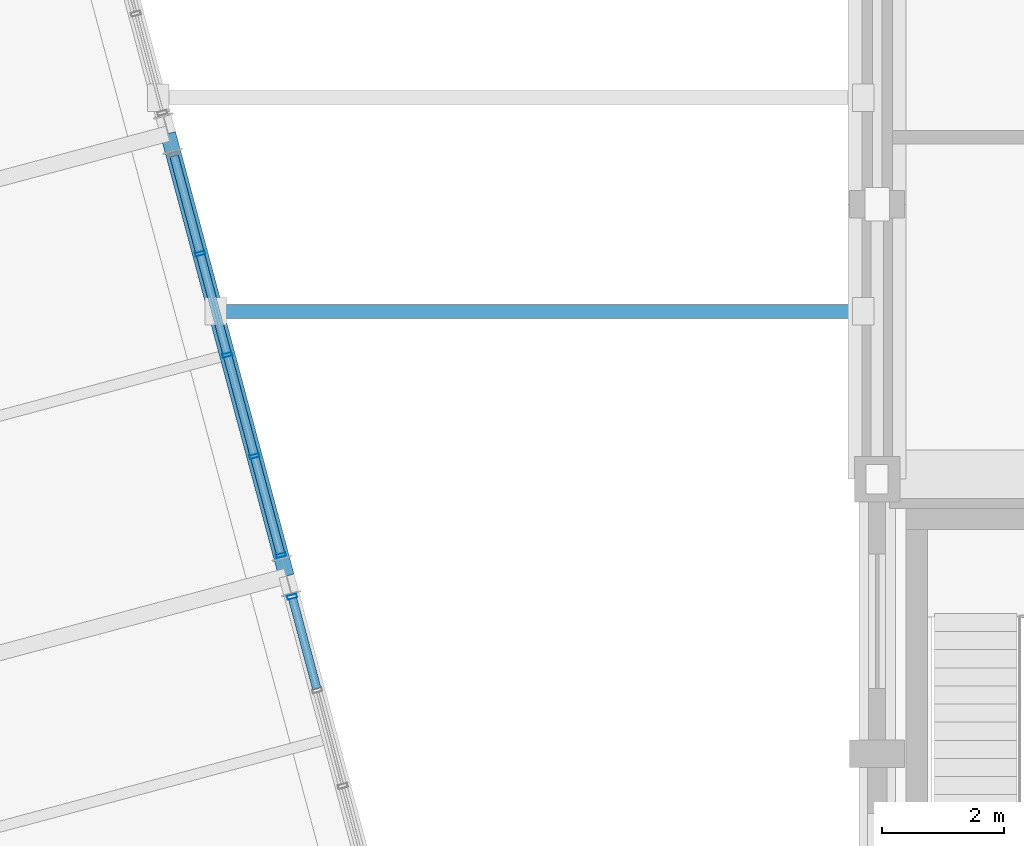
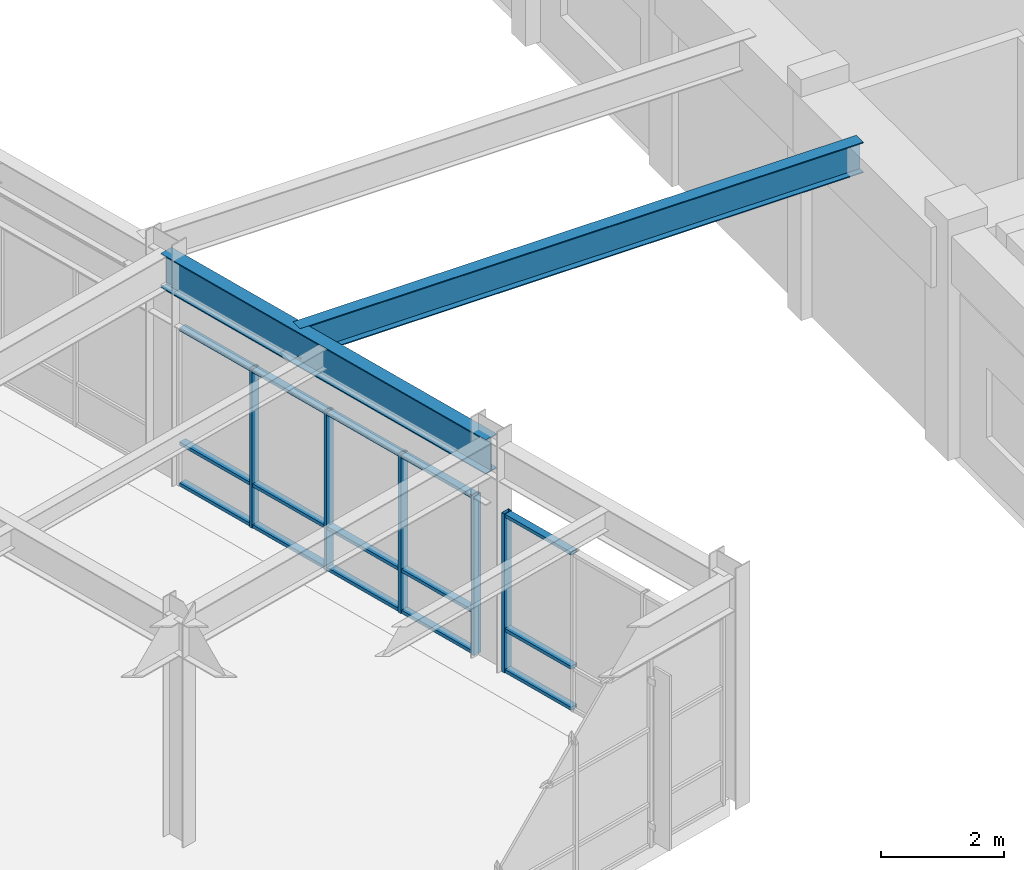
# One storey, part 50 of 104: 20 members, 2 beams, 2 elements without a shape of their own.
"""IFC4 building model written with IfcOpenShell, lengths in metres."""

from ifc_helpers import new_model, si_unit, direction, frame, origin, origin_2d, place, context, subcontext, project, spatial, hollow_rectangle, i_section, extrude, material, layer, layer_set, material_profile, profile_set, type_object, element, aggregate, save


model = new_model("IFC4")

# Units and contexts
model_context = context("Model", 3, precision=1e-05, world=origin(), true_north=direction((0.0, 1.0)))
body_context = subcontext(model_context, "Body", "Model", "MODEL_VIEW")
ifc_project = project(units=[si_unit("LENGTHUNIT", "METRE"), si_unit("AREAUNIT", "SQUARE_METRE"), si_unit("VOLUMEUNIT", "CUBIC_METRE"), si_unit("PLANEANGLEUNIT", "RADIAN"), si_unit("MASSUNIT", "GRAM", prefix="KILO")], contexts=[model_context])

# Site, building, storey
site_placement = place(None, origin())
site = spatial("IfcSite", under=ifc_project, at=site_placement, CompositionType="ELEMENT")
building_placement = place(site_placement, origin())
building = spatial("IfcBuilding", under=site, at=building_placement, Name="Ventoquebrada Cableway Terminal", CompositionType="ELEMENT")
storey_placement = place(building_placement, frame((0.0, 0.0, 4.800048828125)))
storey = spatial("IfcBuildingStorey", under=building, at=storey_placement, Name="L01", CompositionType="ELEMENT", Elevation=4.800048828125)

# Beams
ifc_material_1 = material(Name="Steel ASTM A992 Grade 50", Category="steel")
ifc_material_profile_1 = material_profile(ifc_material_1, i_section(OverallWidth=0.22900390625, OverallDepth=0.612060546875, WebThickness=0.011962890625, FlangeThickness=0.01953125, at=origin_2d()), Name="W24X84")
ifc_profile_set_1 = profile_set([ifc_material_profile_1], Name="Steel ASTM A992 Grade 50")
beam_type_1 = type_object("IfcBeamType", Name="BM-ST02", PredefinedType="BEAM", material=ifc_profile_set_1)
beam_1_placement = place(storey_placement, frame((84.166015625, 88.75, 4.1689453125), z_axis=(1.0, 0.0, 0.0), x_axis=(0.0, 1.0, 0.0)))
element("IfcBeam", 1, at=beam_1_placement, inside=storey, type_object=beam_type_1, Name="Link bridge girder LP-3 FBM-1117", PredefinedType="BEAM", context=body_context, shape_type="SweptSolid", body=[
    extrude(i_section(OverallWidth=0.22900390625, OverallDepth=0.612060546875, WebThickness=0.011962890625, FlangeThickness=0.01953125, at=origin_2d()), origin(), (0.0, 0.0, 1.0), 10.60888671875),
])
ifc_material_profile_2 = material_profile(ifc_material_1, i_section(OverallWidth=0.25390625, OverallDepth=0.68798828125, WebThickness=0.01318359375, FlangeThickness=0.02099609375, at=origin_2d()), Name="W27X102")
ifc_profile_set_2 = profile_set([ifc_material_profile_2], Name="Steel ASTM A992 Grade 50")
beam_type_2 = type_object("IfcBeamType", Name="BM-ST04", PredefinedType="BEAM", material=ifc_profile_set_2)
beam_2_placement = place(storey_placement, frame((85.327880859375, 84.4140625, 4.130859375), z_axis=(-0.258776761059, 0.965937155273, 0.0), x_axis=(-0.965937155273, -0.258776761059, 0.0)))
element("IfcBeam", 2, at=beam_2_placement, inside=storey, type_object=beam_type_2, Name="Splayed station girder FBM-1038", PredefinedType="BEAM", context=body_context, shape_type="SweptSolid", body=[
    extrude(i_section(OverallWidth=0.25390625, OverallDepth=0.68798828125, WebThickness=0.01318359375, FlangeThickness=0.02099609375, at=origin_2d()), origin(), (0.0, 0.0, 1.0), 7.500244140625),
])

# Curtain wall, member
ifc_material_2 = material(Name="Anodized thermally-broken aluminium", Category="aluminium")
ifc_layer_1 = layer(ifc_material_2, 0.159912109375)
ifc_layer_set_1 = layer_set([ifc_layer_1], Name="Anodized thermally-broken aluminium")
curtain_wall_type_1 = type_object("IfcCurtainWallType", Name="CW-T38", PredefinedType="USERDEFINED", material=ifc_layer_set_1)
curtain_wall_1_placement = place(storey_placement, origin())
curtain_wall_1 = element("IfcCurtainWall", 3, at=curtain_wall_1_placement, inside=storey, type_object=curtain_wall_type_1, Name="Unitised glazed curtain wall CW-097", ObjectType="UNITISED CURTAIN WALL", PredefinedType="USERDEFINED")
ifc_material_profile_3 = material_profile(ifc_material_2, hollow_rectangle(XDim=0.06494140625, YDim=0.159912109375, WallThickness=0.00390625, at=origin_2d()), Name="CW-MUL-65X160")
ifc_profile_set_3 = profile_set([ifc_material_profile_3], Name="Anodized thermally-broken aluminium")
member_type_1 = type_object("IfcMemberType", Name="CWM-01", PredefinedType="MULLION", material=ifc_profile_set_3)
member_1_placement = place(storey_placement, frame((85.4189453125, 84.074951171875, -0.008056640625), z_axis=(0.0, 0.0, 1.0), x_axis=(-0.258650455301, 0.965970984022, 0.0)))
member_1 = element("IfcMember", 4, at=member_1_placement, type_object=member_type_1, Name="Curtain wall mullion FML-0475", PredefinedType="MULLION", context=body_context, shape_type="SweptSolid", body=[
    extrude(hollow_rectangle(XDim=0.06494140625, YDim=0.159912109375, WallThickness=0.00390625, at=origin_2d()), origin(), (0.0, 0.0, 1.0), 3.173095703125),
])

# Curtain wall, members
ifc_layer_2 = layer(ifc_material_2, 0.159912109375)
ifc_layer_set_2 = layer_set([ifc_layer_2], Name="Anodized thermally-broken aluminium")
curtain_wall_type_2 = type_object("IfcCurtainWallType", Name="CW-T39", PredefinedType="USERDEFINED", material=ifc_layer_set_2)
curtain_wall_2_placement = place(storey_placement, origin())
curtain_wall_2 = element("IfcCurtainWall", 5, at=curtain_wall_2_placement, inside=storey, type_object=curtain_wall_type_2, Name="Unitised glazed curtain wall CW-098", ObjectType="UNITISED CURTAIN WALL", PredefinedType="USERDEFINED")
member_2_placement = place(storey_placement, frame((85.237060546875, 84.7529296875, -0.008056640625), z_axis=(0.0, 0.0, 1.0), x_axis=(-0.258701033069, 0.965957439792, 0.0)))
member_2 = element("IfcMember", 6, at=member_2_placement, type_object=member_type_1, Name="Curtain wall mullion FML-0476", PredefinedType="MULLION", context=body_context, shape_type="SweptSolid", body=[
    extrude(hollow_rectangle(XDim=0.06494140625, YDim=0.159912109375, WallThickness=0.00390625, at=origin_2d()), origin(), (0.0, 0.0, 1.0), 3.173095703125),
])
member_3_placement = place(storey_placement, frame((84.802001953125, 86.3779296875, -0.008056640625), z_axis=(0.0, 0.0, 1.0), x_axis=(-0.258701033069, 0.965957439792, 0.0)))
member_3 = element("IfcMember", 7, at=member_3_placement, type_object=member_type_1, Name="Curtain wall mullion FML-0477", PredefinedType="MULLION", context=body_context, shape_type="SweptSolid", body=[
    extrude(hollow_rectangle(XDim=0.06494140625, YDim=0.159912109375, WallThickness=0.00390625, at=origin_2d()), origin(), (0.0, 0.0, 1.0), 3.173095703125),
])
member_4_placement = place(storey_placement, frame((84.35693359375, 88.035888671875, -0.008056640625), z_axis=(0.0, 0.0, 1.0), x_axis=(-0.258701033069, 0.965957439792, 0.0)))
member_4 = element("IfcMember", 8, at=member_4_placement, type_object=member_type_1, Name="Curtain wall mullion FML-0478", PredefinedType="MULLION", context=body_context, shape_type="SweptSolid", body=[
    extrude(hollow_rectangle(XDim=0.06494140625, YDim=0.159912109375, WallThickness=0.00390625, at=origin_2d()), origin(), (0.0, 0.0, 1.0), 3.173095703125),
])
member_5_placement = place(storey_placement, frame((83.9130859375, 89.695068359375, -0.008056640625), z_axis=(0.0, 0.0, 1.0), x_axis=(-0.258701033069, 0.965957439792, 0.0)))
member_5 = element("IfcMember", 9, at=member_5_placement, type_object=member_type_1, Name="Curtain wall mullion FML-0479", PredefinedType="MULLION", context=body_context, shape_type="SweptSolid", body=[
    extrude(hollow_rectangle(XDim=0.06494140625, YDim=0.159912109375, WallThickness=0.00390625, at=origin_2d()), origin(), (0.0, 0.0, 1.0), 3.173095703125),
])

# Member
ifc_material_profile_4 = material_profile(ifc_material_2, hollow_rectangle(XDim=0.06494140625, YDim=0.139892578125, WallThickness=0.00390625, at=origin_2d()), Name="CW-TRN-65X140")
ifc_profile_set_4 = profile_set([ifc_material_profile_4], Name="Anodized thermally-broken aluminium")
member_type_2 = type_object("IfcMemberType", Name="CWT-01", PredefinedType="USERDEFINED", material=ifc_profile_set_4)
member_6_placement = place(storey_placement, frame((85.822998046875, 82.568115234375, 0.034912109375), z_axis=(-0.258911184026, 0.965901133029, 0.0), x_axis=(0.0, 0.0, 1.0)))
member_6 = element("IfcMember", 10, at=member_6_placement, type_object=member_type_2, Name="Curtain wall transom FTR-1400", ObjectType="TRANSOM", PredefinedType="USERDEFINED", context=body_context, shape_type="SweptSolid", body=[
    extrude(hollow_rectangle(XDim=0.06494140625, YDim=0.139892578125, WallThickness=0.00390625, at=origin_2d()), origin(), (0.0, 0.0, 1.0), 1.533203125),
])

member_7_placement = place(storey_placement, frame((85.822998046875, 82.568115234375, 0.849853515625), z_axis=(-0.258911184026, 0.965901133029, 0.0), x_axis=(0.0, 0.0, 1.0)))
member_7 = element("IfcMember", 11, at=member_7_placement, type_object=member_type_2, Name="Curtain wall transom FTR-1401", ObjectType="TRANSOM", PredefinedType="USERDEFINED", context=body_context, shape_type="SweptSolid", body=[
    extrude(hollow_rectangle(XDim=0.06494140625, YDim=0.139892578125, WallThickness=0.00390625, at=origin_2d()), origin(), (0.0, 0.0, 1.0), 1.533203125),
])

member_8_placement = place(storey_placement, frame((85.822998046875, 82.568115234375, 3.125), z_axis=(-0.258911184026, 0.965901133029, 0.0), x_axis=(0.0, 0.0, 1.0)))
member_8 = element("IfcMember", 12, at=member_8_placement, type_object=member_type_2, Name="Curtain wall transom FTR-1402", ObjectType="TRANSOM", PredefinedType="USERDEFINED", context=body_context, shape_type="SweptSolid", body=[
    extrude(hollow_rectangle(XDim=0.06494140625, YDim=0.139892578125, WallThickness=0.00390625, at=origin_2d()), origin(), (0.0, 0.0, 1.0), 1.533203125),
])

aggregate(curtain_wall_1, [member_1, member_6, member_7, member_8])

member_9_placement = place(storey_placement, frame((85.22998046875, 84.779052734375, 0.034912109375), z_axis=(-0.25863360095, 0.965975496821, 0.0), x_axis=(0.0, 0.0, 1.0)))
member_9 = element("IfcMember", 13, at=member_9_placement, type_object=member_type_2, Name="Curtain wall transom FTR-1403", ObjectType="TRANSOM", PredefinedType="USERDEFINED", context=body_context, shape_type="SweptSolid", body=[
    extrude(hollow_rectangle(XDim=0.06494140625, YDim=0.139892578125, WallThickness=0.00390625, at=origin_2d()), origin(), (0.0, 0.0, 1.0), 1.62744140625),
])

member_10_placement = place(storey_placement, frame((85.22998046875, 84.779052734375, 0.849853515625), z_axis=(-0.25863360095, 0.965975496821, 0.0), x_axis=(0.0, 0.0, 1.0)))
member_10 = element("IfcMember", 14, at=member_10_placement, type_object=member_type_2, Name="Curtain wall transom FTR-1404", ObjectType="TRANSOM", PredefinedType="USERDEFINED", context=body_context, shape_type="SweptSolid", body=[
    extrude(hollow_rectangle(XDim=0.06494140625, YDim=0.139892578125, WallThickness=0.00390625, at=origin_2d()), origin(), (0.0, 0.0, 1.0), 1.62744140625),
])

member_11_placement = place(storey_placement, frame((85.22998046875, 84.779052734375, 3.125), z_axis=(-0.25863360095, 0.965975496821, 0.0), x_axis=(0.0, 0.0, 1.0)))
member_11 = element("IfcMember", 15, at=member_11_placement, type_object=member_type_2, Name="Curtain wall transom FTR-1405", ObjectType="TRANSOM", PredefinedType="USERDEFINED", context=body_context, shape_type="SweptSolid", body=[
    extrude(hollow_rectangle(XDim=0.06494140625, YDim=0.139892578125, WallThickness=0.00390625, at=origin_2d()), origin(), (0.0, 0.0, 1.0), 1.62744140625),
])

member_12_placement = place(storey_placement, frame((84.794921875, 86.404052734375, 0.034912109375), z_axis=(-0.258603956561, 0.965983433425, 0.0), x_axis=(0.0, 0.0, 1.0)))
member_12 = element("IfcMember", 16, at=member_12_placement, type_object=member_type_2, Name="Curtain wall transom FTR-1406", ObjectType="TRANSOM", PredefinedType="USERDEFINED", context=body_context, shape_type="SweptSolid", body=[
    extrude(hollow_rectangle(XDim=0.06494140625, YDim=0.139892578125, WallThickness=0.00390625, at=origin_2d()), origin(), (0.0, 0.0, 1.0), 1.66259765625),
])

member_13_placement = place(storey_placement, frame((84.794921875, 86.404052734375, 0.849853515625), z_axis=(-0.258603956561, 0.965983433425, 0.0), x_axis=(0.0, 0.0, 1.0)))
member_13 = element("IfcMember", 17, at=member_13_placement, type_object=member_type_2, Name="Curtain wall transom FTR-1407", ObjectType="TRANSOM", PredefinedType="USERDEFINED", context=body_context, shape_type="SweptSolid", body=[
    extrude(hollow_rectangle(XDim=0.06494140625, YDim=0.139892578125, WallThickness=0.00390625, at=origin_2d()), origin(), (0.0, 0.0, 1.0), 1.66259765625),
])

member_14_placement = place(storey_placement, frame((84.794921875, 86.404052734375, 3.125), z_axis=(-0.258603956561, 0.965983433425, 0.0), x_axis=(0.0, 0.0, 1.0)))
member_14 = element("IfcMember", 18, at=member_14_placement, type_object=member_type_2, Name="Curtain wall transom FTR-1408", ObjectType="TRANSOM", PredefinedType="USERDEFINED", context=body_context, shape_type="SweptSolid", body=[
    extrude(hollow_rectangle(XDim=0.06494140625, YDim=0.139892578125, WallThickness=0.00390625, at=origin_2d()), origin(), (0.0, 0.0, 1.0), 1.66259765625),
])

member_15_placement = place(storey_placement, frame((84.35009765625, 88.06298828125, 0.034912109375), z_axis=(-0.258740978599, 0.965946740764, 0.0), x_axis=(0.0, 0.0, 1.0)))
member_15 = element("IfcMember", 19, at=member_15_placement, type_object=member_type_2, Name="Curtain wall transom FTR-1409", ObjectType="TRANSOM", PredefinedType="USERDEFINED", context=body_context, shape_type="SweptSolid", body=[
    extrude(hollow_rectangle(XDim=0.06494140625, YDim=0.139892578125, WallThickness=0.00390625, at=origin_2d()), origin(), (0.0, 0.0, 1.0), 1.66259765625),
])

member_16_placement = place(storey_placement, frame((84.35009765625, 88.06298828125, 0.849853515625), z_axis=(-0.258740978599, 0.965946740764, 0.0), x_axis=(0.0, 0.0, 1.0)))
member_16 = element("IfcMember", 20, at=member_16_placement, type_object=member_type_2, Name="Curtain wall transom FTR-1410", ObjectType="TRANSOM", PredefinedType="USERDEFINED", context=body_context, shape_type="SweptSolid", body=[
    extrude(hollow_rectangle(XDim=0.06494140625, YDim=0.139892578125, WallThickness=0.00390625, at=origin_2d()), origin(), (0.0, 0.0, 1.0), 1.66259765625),
])

member_17_placement = place(storey_placement, frame((84.35009765625, 88.06298828125, 3.125), z_axis=(-0.258740978599, 0.965946740764, 0.0), x_axis=(0.0, 0.0, 1.0)))
member_17 = element("IfcMember", 21, at=member_17_placement, type_object=member_type_2, Name="Curtain wall transom FTR-1411", ObjectType="TRANSOM", PredefinedType="USERDEFINED", context=body_context, shape_type="SweptSolid", body=[
    extrude(hollow_rectangle(XDim=0.06494140625, YDim=0.139892578125, WallThickness=0.00390625, at=origin_2d()), origin(), (0.0, 0.0, 1.0), 1.66259765625),
])

member_18_placement = place(storey_placement, frame((83.906005859375, 89.721923828125, 0.034912109375), z_axis=(-0.25863360095, 0.965975496821, 0.0), x_axis=(0.0, 0.0, 1.0)))
member_18 = element("IfcMember", 22, at=member_18_placement, type_object=member_type_2, Name="Curtain wall transom FTR-1412", ObjectType="TRANSOM", PredefinedType="USERDEFINED", context=body_context, shape_type="SweptSolid", body=[
    extrude(hollow_rectangle(XDim=0.06494140625, YDim=0.139892578125, WallThickness=0.00390625, at=origin_2d()), origin(), (0.0, 0.0, 1.0), 1.62744140625),
])

member_19_placement = place(storey_placement, frame((83.906005859375, 89.721923828125, 0.849853515625), z_axis=(-0.25863360095, 0.965975496821, 0.0), x_axis=(0.0, 0.0, 1.0)))
member_19 = element("IfcMember", 23, at=member_19_placement, type_object=member_type_2, Name="Curtain wall transom FTR-1413", ObjectType="TRANSOM", PredefinedType="USERDEFINED", context=body_context, shape_type="SweptSolid", body=[
    extrude(hollow_rectangle(XDim=0.06494140625, YDim=0.139892578125, WallThickness=0.00390625, at=origin_2d()), origin(), (0.0, 0.0, 1.0), 1.62744140625),
])

member_20_placement = place(storey_placement, frame((83.906005859375, 89.721923828125, 3.125), z_axis=(-0.25863360095, 0.965975496821, 0.0), x_axis=(0.0, 0.0, 1.0)))
member_20 = element("IfcMember", 24, at=member_20_placement, type_object=member_type_2, Name="Curtain wall transom FTR-1414", ObjectType="TRANSOM", PredefinedType="USERDEFINED", context=body_context, shape_type="SweptSolid", body=[
    extrude(hollow_rectangle(XDim=0.06494140625, YDim=0.139892578125, WallThickness=0.00390625, at=origin_2d()), origin(), (0.0, 0.0, 1.0), 1.62744140625),
])

aggregate(curtain_wall_2, [member_2, member_3, member_4, member_5, member_9, member_10, member_11, member_12, member_13, member_14, member_15, member_16, member_17, member_18, member_19, member_20])

save(model, "model.ifc")
